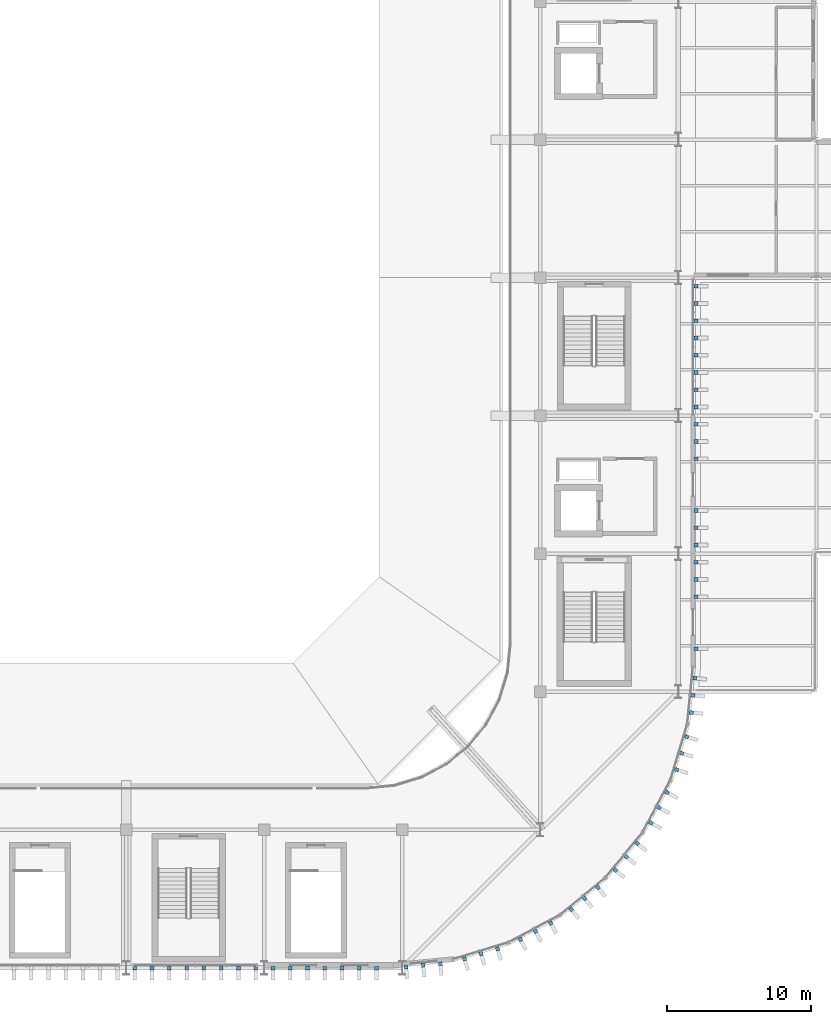
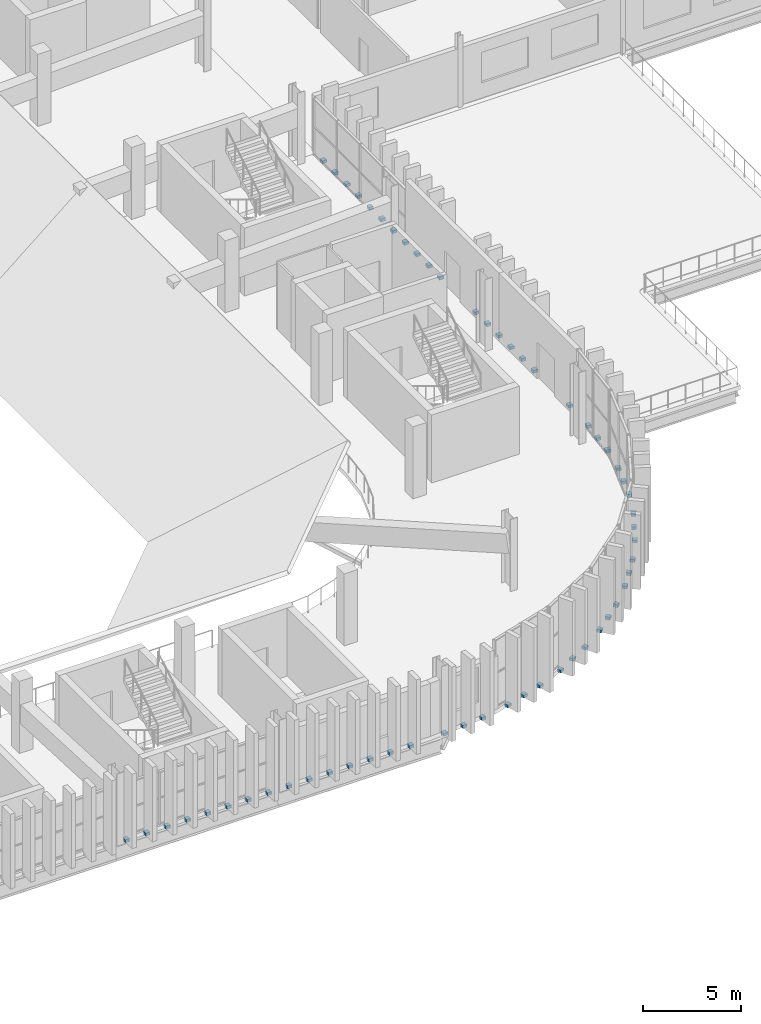
# One storey, part 51 of 69: 57 discrete accessories.
"""IFC4 building model written with IfcOpenShell, lengths in metres."""

from ifc_helpers import new_model, si_unit, direction, frame, origin, origin_2d, place, context, subcontext, project, spatial, rectangle, extrude, material, type_object, element, save


model = new_model("IFC4")

# Units and contexts
model_context = context("Model", 3, precision=1e-05, world=origin(), true_north=direction((0.0, 1.0)))
body_context = subcontext(model_context, "Body", "Model", "MODEL_VIEW")
ifc_project = project(units=[si_unit("LENGTHUNIT", "METRE"), si_unit("AREAUNIT", "SQUARE_METRE"), si_unit("VOLUMEUNIT", "CUBIC_METRE"), si_unit("PLANEANGLEUNIT", "RADIAN"), si_unit("MASSUNIT", "GRAM", prefix="KILO")], contexts=[model_context])

# Site, building, storey
site_placement = place(None, origin())
site = spatial("IfcSite", under=ifc_project, at=site_placement, CompositionType="ELEMENT")
building_placement = place(site_placement, origin())
building = spatial("IfcBuilding", under=site, at=building_placement, Name="Caelomonte Colonnade Arena", CompositionType="ELEMENT")
storey_placement = place(building_placement, frame((0.0, 0.0, 18.60009765625)))
storey = spatial("IfcBuildingStorey", under=building, at=storey_placement, Name="L04", CompositionType="ELEMENT", Elevation=18.60009765625)

# Discrete accessories
ifc_material = material(Name="Steel ASTM A572 Grade 50", Category="steel")
discrete_accessory_type = type_object("IfcDiscreteAccessoryType", Name="ENV-ACC-BRK", PredefinedType="BRACKET", material=ifc_material)
for number, where, z_axis, x_axis, name in (
    (1, (144.257080078125, 19.25439453125, -0.2099609375), (0.0, 0.0, 1.0), (0.995184897743, 0.098015403404, 0.0), "V1 L04 fin support bracket 1"),
    (2, (145.451416015625, 19.371826171875, -0.2099609375), (0.0, 0.0, 1.0), (0.995184897743, 0.098015403404, 0.0), "V1 L04 fin support bracket 2"),
    (3, (146.6455078125, 19.489501953125, -0.2099609375), (0.0, 0.0, 1.0), (0.995184897743, 0.098015403404, 0.0), "V1 L04 fin support bracket 3"),
    (4, (148.326904296875, 19.823974609375, -0.2099609375), (0.0, 0.0, 1.0), (0.956942868907, 0.290276326364, 0.0), "V1 L04 fin support bracket 4"),
    (5, (149.475341796875, 20.17236328125, -0.2099609375), (0.0, 0.0, 1.0), (0.956942868907, 0.290276326364, 0.0), "V1 L04 fin support bracket 5"),
    (6, (150.623779296875, 20.5205078125, -0.2099609375), (0.0, 0.0, 1.0), (0.956942868907, 0.290276326364, 0.0), "V1 L04 fin support bracket 6"),
    (7, (152.20751953125, 21.1767578125, -0.2099609375), (0.0, 0.0, 1.0), (0.881921264348, 0.471396736826, 0.0), "V1 L04 fin support bracket 7"),
    (8, (153.265869140625, 21.7421875, -0.2099609375), (0.0, 0.0, 1.0), (0.881921264348, 0.471396736826, 0.0), "V1 L04 fin support bracket 8"),
    (9, (154.32421875, 22.30810546875, -0.2099609375), (0.0, 0.0, 1.0), (0.881921264348, 0.471396736826, 0.0), "V1 L04 fin support bracket 9"),
    (10, (155.74951171875, 23.260498046875, -0.2099609375), (0.0, 0.0, 1.0), (0.77299384472, 0.634413521313, 0.0), "V1 L04 fin support bracket 10"),
    (11, (156.677001953125, 24.021728515625, -0.2099609375), (0.0, 0.0, 1.0), (0.77299384472, 0.634413521313, 0.0), "V1 L04 fin support bracket 11"),
    (12, (157.604736328125, 24.783203125, -0.2099609375), (0.0, 0.0, 1.0), (0.77299384472, 0.634413521313, 0.0), "V1 L04 fin support bracket 12"),
    (13, (158.81689453125, 25.995361328125, -0.2099609375), (0.0, 0.0, 1.0), (0.634413521313, 0.77299384472, 0.0), "V1 L04 fin support bracket 13"),
    (14, (159.578125, 26.9228515625, -0.2099609375), (0.0, 0.0, 1.0), (0.634413521313, 0.77299384472, 0.0), "V1 L04 fin support bracket 14"),
    (15, (160.339599609375, 27.8505859375, -0.2099609375), (0.0, 0.0, 1.0), (0.634413521313, 0.77299384472, 0.0), "V1 L04 fin support bracket 15"),
    (16, (161.2919921875, 29.27587890625, -0.2099609375), (0.0, 0.0, 1.0), (0.471396736826, 0.881921264348, 0.0), "V1 L04 fin support bracket 16"),
    (17, (161.857666015625, 30.334228515625, -0.2099609375), (0.0, 0.0, 1.0), (0.471396736826, 0.881921264348, 0.0), "V1 L04 fin support bracket 17"),
    (18, (162.42333984375, 31.392578125, -0.2099609375), (0.0, 0.0, 1.0), (0.471396736826, 0.881921264348, 0.0), "V1 L04 fin support bracket 18"),
    (19, (163.079345703125, 32.976318359375, -0.2099609375), (0.0, 0.0, 1.0), (0.290276326364, 0.956942868907, 0.0), "V1 L04 fin support bracket 19"),
    (20, (163.427734375, 34.12451171875, -0.2099609375), (0.0, 0.0, 1.0), (0.290276326364, 0.956942868907, 0.0), "V1 L04 fin support bracket 20"),
    (21, (163.77587890625, 35.27294921875, -0.2099609375), (0.0, 0.0, 1.0), (0.290276326364, 0.956942868907, 0.0), "V1 L04 fin support bracket 21"),
    (22, (164.110595703125, 36.954345703125, -0.2099609375), (0.0, 0.0, 1.0), (0.098015403404, 0.995184897743, 0.0), "V1 L04 fin support bracket 22"),
    (23, (164.22802734375, 38.148681640625, -0.2099609375), (0.0, 0.0, 1.0), (0.098015403404, 0.995184897743, 0.0), "V1 L04 fin support bracket 23"),
    (24, (164.345703125, 39.3427734375, -0.2099609375), (0.0, 0.0, 1.0), (0.098015403404, 0.995184897743, 0.0), "V1 L04 fin support bracket 24"),
    (25, (164.429931640625, 41.39990234375, -0.2099609375), (0.0, 0.0, 1.0), (0.0, 1.0, 0.0), "V1 L04 fin support bracket 25"),
    (26, (164.429931640625, 45.0, -0.2099609375), (0.0, 0.0, 1.0), (0.0, 1.0, 0.0), "V1 L04 fin support bracket 28"),
    (27, (164.429931640625, 46.199951171875, -0.2099609375), (0.0, 0.0, 1.0), (0.0, 1.0, 0.0), "V1 L04 fin support bracket 29"),
    (28, (164.429931640625, 47.39990234375, -0.2099609375), (0.0, 0.0, 1.0), (0.0, 1.0, 0.0), "V1 L04 fin support bracket 30"),
    (29, (164.429931640625, 48.60009765625, -0.2099609375), (0.0, 0.0, 1.0), (0.0, 1.0, 0.0), "V1 L04 fin support bracket 31"),
    (30, (164.429931640625, 49.800048828125, -0.2099609375), (0.0, 0.0, 1.0), (0.0, 1.0, 0.0), "V1 L04 fin support bracket 32"),
    (31, (164.429931640625, 51.0, -0.2099609375), (0.0, 0.0, 1.0), (0.0, 1.0, 0.0), "V1 L04 fin support bracket 33"),
    (32, (164.429931640625, 54.60009765625, -0.2099609375), (0.0, 0.0, 1.0), (0.0, 1.0, 0.0), "V1 L04 fin support bracket 36"),
    (33, (164.429931640625, 55.800048828125, -0.2099609375), (0.0, 0.0, 1.0), (0.0, 1.0, 0.0), "V1 L04 fin support bracket 37"),
    (34, (164.429931640625, 57.0, -0.2099609375), (0.0, 0.0, 1.0), (0.0, 1.0, 0.0), "V1 L04 fin support bracket 38"),
    (35, (164.429931640625, 58.199951171875, -0.2099609375), (0.0, 0.0, 1.0), (0.0, 1.0, 0.0), "V1 L04 fin support bracket 39"),
    (36, (164.429931640625, 59.39990234375, -0.2099609375), (0.0, 0.0, 1.0), (0.0, 1.0, 0.0), "V1 L04 fin support bracket 40"),
    (37, (164.429931640625, 60.60009765625, -0.2099609375), (0.0, 0.0, 1.0), (0.0, 1.0, 0.0), "V1 L04 fin support bracket 41"),
    (38, (164.429931640625, 61.800048828125, -0.2099609375), (0.0, 0.0, 1.0), (0.0, 1.0, 0.0), "V1 L04 fin support bracket 42"),
    (39, (164.429931640625, 63.0, -0.2099609375), (0.0, 0.0, 1.0), (0.0, 1.0, 0.0), "V1 L04 fin support bracket 43"),
    (40, (164.429931640625, 64.199951171875, -0.2099609375), (0.0, 0.0, 1.0), (0.0, 1.0, 0.0), "V1 L04 fin support bracket 44"),
    (41, (164.429931640625, 65.39990234375, -0.2099609375), (0.0, 0.0, 1.0), (0.0, 1.0, 0.0), "V1 L04 fin support bracket 45"),
    (42, (164.429931640625, 66.60009765625, -0.2099609375), (0.0, 0.0, 1.0), (0.0, 1.0, 0.0), "V1 L04 fin support bracket 46"),
    (43, (125.39990234375, 19.169921875, -0.2099609375), (0.0, 0.0, 1.0), (1.0, 0.0, 0.0), "V1 L04 fin support bracket 278"),
    (44, (126.60009765625, 19.169921875, -0.2099609375), (0.0, 0.0, 1.0), (1.0, 0.0, 0.0), "V1 L04 fin support bracket 279"),
    (45, (127.800048828125, 19.169921875, -0.2099609375), (0.0, 0.0, 1.0), (1.0, 0.0, 0.0), "V1 L04 fin support bracket 280"),
    (46, (129.0, 19.169921875, -0.2099609375), (0.0, 0.0, 1.0), (1.0, 0.0, 0.0), "V1 L04 fin support bracket 281"),
    (47, (130.199951171875, 19.169921875, -0.2099609375), (0.0, 0.0, 1.0), (1.0, 0.0, 0.0), "V1 L04 fin support bracket 282"),
    (48, (131.39990234375, 19.169921875, -0.2099609375), (0.0, 0.0, 1.0), (1.0, 0.0, 0.0), "V1 L04 fin support bracket 283"),
    (49, (132.60009765625, 19.169921875, -0.2099609375), (0.0, 0.0, 1.0), (1.0, 0.0, 0.0), "V1 L04 fin support bracket 284"),
    (50, (133.800048828125, 19.169921875, -0.2099609375), (0.0, 0.0, 1.0), (1.0, 0.0, 0.0), "V1 L04 fin support bracket 285"),
    (51, (135.0, 19.169921875, -0.2099609375), (0.0, 0.0, 1.0), (1.0, 0.0, 0.0), "V1 L04 fin support bracket 286"),
    (52, (136.199951171875, 19.169921875, -0.2099609375), (0.0, 0.0, 1.0), (1.0, 0.0, 0.0), "V1 L04 fin support bracket 287"),
    (53, (137.39990234375, 19.169921875, -0.2099609375), (0.0, 0.0, 1.0), (1.0, 0.0, 0.0), "V1 L04 fin support bracket 288"),
    (54, (138.60009765625, 19.169921875, -0.2099609375), (0.0, 0.0, 1.0), (1.0, 0.0, 0.0), "V1 L04 fin support bracket 289"),
    (55, (139.800048828125, 19.169921875, -0.2099609375), (0.0, 0.0, 1.0), (1.0, 0.0, 0.0), "V1 L04 fin support bracket 290"),
    (56, (141.0, 19.169921875, -0.2099609375), (0.0, 0.0, 1.0), (1.0, 0.0, 0.0), "V1 L04 fin support bracket 291"),
    (57, (142.199951171875, 19.169921875, -0.2099609375), (0.0, 0.0, 1.0), (1.0, 0.0, 0.0), "V1 L04 fin support bracket 292"),
):
    element("IfcDiscreteAccessory", number, at=place(storey_placement, frame(where, z_axis=z_axis, x_axis=x_axis)), inside=storey, type_object=discrete_accessory_type, Name=name, PredefinedType="BRACKET", context=body_context, shape_type="SweptSolid", body=[
        extrude(rectangle(XDim=0.260009765625, YDim=0.260009765625, at=origin_2d()), origin(), (0.0, 0.0, 1.0), 0.179931640625),
    ])

save(model, "model.ifc")
